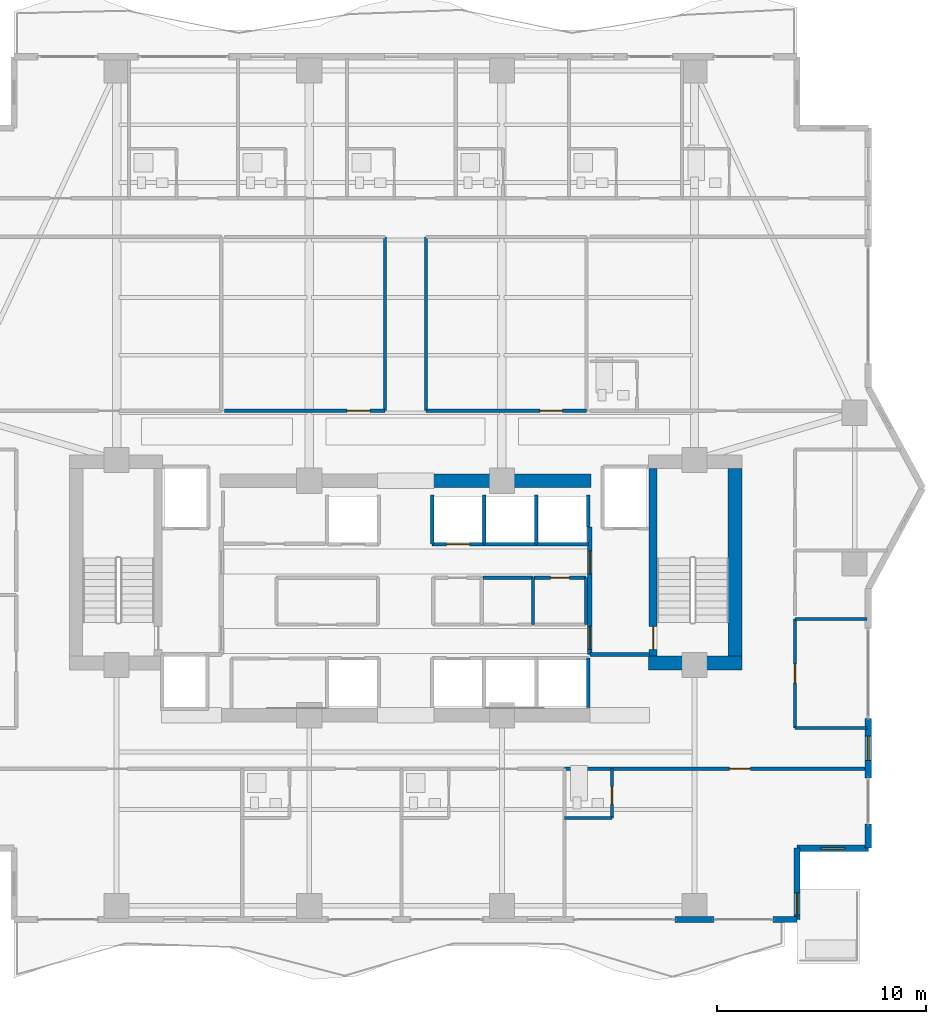
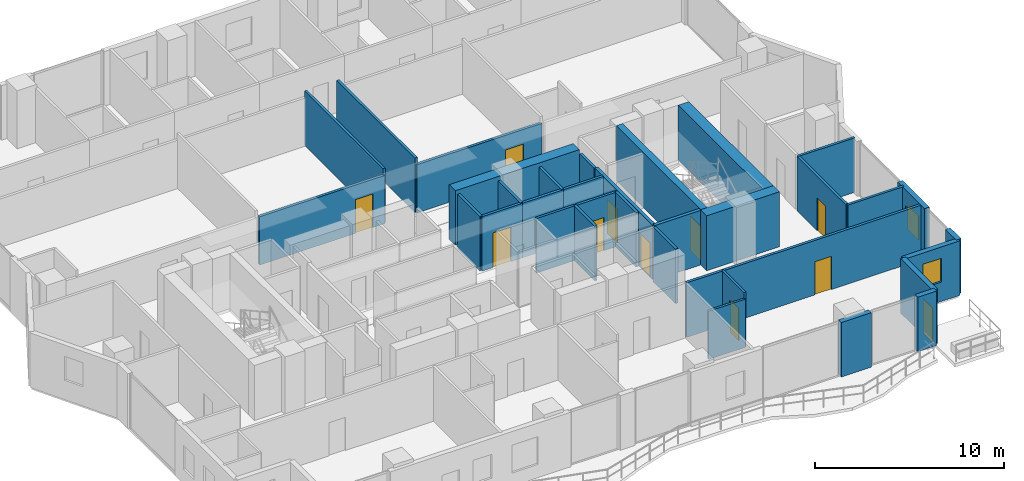
# One storey, part 26 of 33: 34 walls, 11 doors, 2 windows, 13 openings.
"""IFC4 building model written with IfcOpenShell, lengths in metres."""

from ifc_helpers import new_model, si_unit, direction, frame, frame_2d, origin, place, context, subcontext, project, spatial, rectangle, extrude, material, layer, layer_set, type_object, element, fill, save


model = new_model("IFC4")

# Units and contexts
model_context = context("Model", 3, precision=1e-05, world=origin(), true_north=direction((0.0, 1.0)))
body_context = subcontext(model_context, "Body", "Model", "MODEL_VIEW")
ifc_project = project(units=[si_unit("LENGTHUNIT", "METRE"), si_unit("AREAUNIT", "SQUARE_METRE"), si_unit("VOLUMEUNIT", "CUBIC_METRE"), si_unit("PLANEANGLEUNIT", "RADIAN"), si_unit("MASSUNIT", "GRAM", prefix="KILO")], contexts=[model_context])

# Site, building, storey
site_placement = place(None, origin())
site = spatial("IfcSite", under=ifc_project, at=site_placement, CompositionType="ELEMENT")
building_placement = place(site_placement, origin())
building = spatial("IfcBuilding", under=site, at=building_placement, Name="Zuhayl Quay Hotel", CompositionType="ELEMENT")
storey_placement = place(building_placement, frame((0.0, 0.0, 207.39990234375)))
storey = spatial("IfcBuildingStorey", under=building, at=storey_placement, Name="L52", CompositionType="ELEMENT", Elevation=207.39990234375)

# Walls
ifc_material_1 = material(Name="Concrete C50/60", Category="concrete")
ifc_layer_1 = layer(ifc_material_1, 0.64990234375, Name="Concrete C50/60", Category="concrete")
ifc_layer_set_1 = layer_set([ifc_layer_1], Name="Concrete C50/60")
wall_type_1 = type_object("IfcWallType", Name="WL_CORE_650", PredefinedType="SHEAR", material=ifc_layer_set_1)
wall_1_placement = place(storey_placement, frame((15.735107421875, 4.969970703125, 0.0), z_axis=(0.0, 0.0, 1.0), x_axis=(0.0, 1.0, 0.0)))
element("IfcWall", 1, at=wall_1_placement, inside=storey, type_object=wall_type_1, Name="L52 Core Shear Wall CW_E", PredefinedType="SHEAR", context=body_context, shape_type="SweptSolid", body=[
    extrude(rectangle(XDim=8.9599609375, YDim=0.64990234375, at=frame_2d((4.47998046875, 0.0))), origin(), (0.0, 0.0, 1.0), 3.56005859375),
])
wall_2_placement = place(storey_placement, frame((11.60009765625, 4.64501953125, 0.0), z_axis=(0.0, 0.0, 1.0), x_axis=(1.0, 0.0, 0.0)))
element("IfcWall", 2, at=wall_2_placement, inside=storey, type_object=wall_type_1, Name="L52 Core Shear Wall CW_SE", PredefinedType="SHEAR", context=body_context, shape_type="SweptSolid", body=[
    extrude(rectangle(XDim=4.4599609375, YDim=0.64990234375, at=frame_2d((2.22998046875, 0.0))), origin(), (0.0, 0.0, 1.0), 3.56005859375),
])
wall_3_placement = place(storey_placement, frame((1.25, 13.35009765625, 0.0), z_axis=(0.0, 0.0, 1.0), x_axis=(1.0, 0.0, 0.0)))
element("IfcWall", 3, at=wall_3_placement, inside=storey, type_object=wall_type_1, Name="L52 Core Shear Wall CW_NC_E", PredefinedType="SHEAR", context=body_context, shape_type="SweptSolid", body=[
    extrude(rectangle(XDim=7.60009765625, YDim=0.64990234375, at=frame_2d((3.800048828125, 0.0))), origin(), (0.0, 0.0, 1.0), 3.530029296875),
])

# Wall, opening, window
ifc_material_2 = material(Name="Precast concrete C45/55", Category="concrete")
ifc_layer_2 = layer(ifc_material_2, 0.300048828125, Name="Precast concrete C45/55", Category="concrete")
ifc_layer_set_2 = layer_set([ifc_layer_2], Name="Precast concrete C45/55")
wall_type_2 = type_object("IfcWallType", Name="WL_EXT_300", PredefinedType="STANDARD", material=ifc_layer_set_2)
wall_4_placement = place(storey_placement, frame((22.10009765625, 2.0, 0.0), z_axis=(0.0, 0.0, 1.0), x_axis=(0.0, -1.0, 0.0)))
wall_4 = element("IfcWall", 4, at=wall_4_placement, inside=storey, type_object=wall_type_2, Name="L52 Exterior Precast Wall ENV_L52_E14_EW2", PredefinedType="STANDARD", context=body_context, shape_type="SweptSolid", body=[
    extrude(rectangle(XDim=2.85009765625, YDim=0.300048828125, at=frame_2d((1.425048828125, 0.0))), origin(), (0.0, 0.0, 1.0), 3.530029296875),
])
opening_1_placement = place(wall_4_placement, frame((0.85009765625, 0.0, 0.949951171875)))
opening_1 = element("IfcOpeningElement", 5, at=opening_1_placement, cuts=wall_4, Name="Opening W01N", PredefinedType="OPENING", context=body_context, shape_type="SweptSolid", body=[
    extrude(rectangle(XDim=1.14990234375, YDim=1.550048828125, at=frame_2d((0.574951171875, 0.77490234375))), frame((0.0, 0.159912109375, 0.0), z_axis=(0.0, -1.0, 0.0), x_axis=(1.0, 0.0, 0.0)), (0.0, 0.0, 1.0), 0.320068359375),
])
ifc_material_3 = material(Name="Dark Ceramic-Fritted Solar Glass", Category="glass")
window_type = type_object("IfcWindowType", Name="WN_NOTCH_1350", PartitioningType="SINGLE_PANEL", PredefinedType="WINDOW", material=ifc_material_3)
window_1_placement = place(opening_1_placement, origin())
window_1 = element("IfcWindow", 6, at=window_1_placement, inside=storey, type_object=window_type, Name="L52 Operable Facade Window 2-1", OverallHeight=1.550048828125, OverallWidth=1.14990234375, PartitioningType="SINGLE_PANEL", PredefinedType="WINDOW", context=body_context, shape_type="SweptSolid", body=[
    extrude(rectangle(XDim=1.14990234375, YDim=1.550048828125, at=frame_2d((0.574951171875, 0.77490234375))), frame((0.0, 0.030029296875, 0.0), z_axis=(0.0, -1.0, 0.0), x_axis=(1.0, 0.0, 0.0)), (0.0, 0.0, 1.0), 0.06005859375),
])
fill(opening_1, window_1)

# Wall
wall_5_placement = place(storey_placement, frame((22.10009765625, -3.050048828125, 0.0), z_axis=(0.0, 0.0, 1.0), x_axis=(0.0, -1.0, 0.0)))
element("IfcWall", 7, at=wall_5_placement, inside=storey, type_object=wall_type_2, Name="L52 Exterior Precast Wall ENV_L52_E14_EW3", PredefinedType="STANDARD", context=body_context, shape_type="SweptSolid", body=[
    extrude(rectangle(XDim=1.14990234375, YDim=0.300048828125, at=frame_2d((0.574951171875, 0.0))), origin(), (0.0, 0.0, 1.0), 3.530029296875),
])

# Wall, opening, window
wall_6_placement = place(storey_placement, frame((22.10009765625, -4.199951171875, 0.0), z_axis=(0.0, 0.0, 1.0), x_axis=(-1.0, 0.0, 0.0)))
wall_6 = element("IfcWall", 8, at=wall_6_placement, inside=storey, type_object=wall_type_2, Name="L52 Exterior Precast Wall ENV_L52_EW15", PredefinedType="STANDARD", context=body_context, shape_type="SweptSolid", body=[
    extrude(rectangle(XDim=3.400146484375, YDim=0.300048828125, at=frame_2d((1.7001953125, 0.0))), origin(), (0.0, 0.0, 1.0), 3.530029296875),
])
opening_2_placement = place(wall_6_placement, frame((1.125, 0.0, 1.25)))
opening_2 = element("IfcOpeningElement", 9, at=opening_2_placement, cuts=wall_6, Name="Opening W01N", PredefinedType="OPENING", context=body_context, shape_type="SweptSolid", body=[
    extrude(rectangle(XDim=1.14990234375, YDim=1.550048828125, at=frame_2d((0.574951171875, 0.77490234375))), frame((0.0, 0.159912109375, 0.0), z_axis=(0.0, -1.0, 0.0), x_axis=(1.0, 0.0, 0.0)), (0.0, 0.0, 1.0), 0.320068359375),
])
window_2_placement = place(opening_2_placement, origin())
window_2 = element("IfcWindow", 10, at=window_2_placement, inside=storey, type_object=window_type, Name="L52 Corner Notch Window 15", OverallHeight=1.550048828125, OverallWidth=1.14990234375, PartitioningType="SINGLE_PANEL", PredefinedType="WINDOW", context=body_context, shape_type="SweptSolid", body=[
    extrude(rectangle(XDim=1.14990234375, YDim=1.550048828125, at=frame_2d((0.574951171875, 0.77490234375))), frame((0.0, 0.030029296875, 0.0), z_axis=(0.0, -1.0, 0.0), x_axis=(1.0, 0.0, 0.0)), (0.0, 0.0, 1.0), 0.06005859375),
])
fill(opening_2, window_2)

# Wall, opening, door
wall_7_placement = place(storey_placement, frame((18.699951171875, -4.199951171875, 0.0), z_axis=(0.0, 0.0, 1.0), x_axis=(0.0, -1.0, 0.0)))
wall_7 = element("IfcWall", 11, at=wall_7_placement, inside=storey, type_object=wall_type_2, Name="L52 Exterior Precast Wall ENV_L52_SP_SE", PredefinedType="STANDARD", context=body_context, shape_type="SweptSolid", body=[
    extrude(rectangle(XDim=3.400146484375, YDim=0.300048828125, at=frame_2d((1.7001953125, 0.0))), origin(), (0.0, 0.0, 1.0), 3.530029296875),
])
opening_3_placement = place(wall_7_placement, frame((2.1298828125, 0.0, 0.0)))
opening_3 = element("IfcOpeningElement", 12, at=opening_3_placement, cuts=wall_7, Name="Opening DG1", PredefinedType="OPENING", context=body_context, shape_type="SweptSolid", body=[
    extrude(rectangle(XDim=1.050048828125, YDim=2.199951171875, at=frame_2d((0.52490234375, 1.10009765625))), frame((0.0, 0.159912109375, 0.0), z_axis=(0.0, -1.0, 0.0), x_axis=(1.0, 0.0, 0.0)), (0.0, 0.0, 1.0), 0.320068359375),
])
ifc_material_4 = material(Name="Anodised Aluminium and Dark Solar Glass", Category="aluminium")
door_type_1 = type_object("IfcDoorType", Name="DR_EXT_TERR_1050", OperationType="NOTDEFINED", PredefinedType="DOOR", material=ifc_material_4)
door_1_placement = place(opening_3_placement, origin())
door_1 = element("IfcDoor", 13, at=door_1_placement, inside=storey, type_object=door_type_1, Name="L52 Spiral Sky-Terrace SE Access Door", OperationType="SINGLE_SWING_LEFT", OverallHeight=2.199951171875, OverallWidth=1.050048828125, PredefinedType="DOOR", context=body_context, shape_type="SweptSolid", body=[
    extrude(rectangle(XDim=1.050048828125, YDim=2.199951171875, at=frame_2d((0.52490234375, 1.10009765625))), frame((0.0, 0.02490234375, 0.0), z_axis=(0.0, -1.0, 0.0), x_axis=(1.0, 0.0, 0.0)), (0.0, 0.0, 1.0), 0.050048828125),
])
fill(opening_3, door_1)

# Walls
wall_8_placement = place(storey_placement, frame((18.699951171875, -7.60009765625, 0.0), z_axis=(0.0, 0.0, 1.0), x_axis=(-1.0, 0.0, 0.0)))
element("IfcWall", 14, at=wall_8_placement, inside=storey, type_object=wall_type_2, Name="L52 Exterior Precast Wall ENV_L52_S_EW1", PredefinedType="STANDARD", context=body_context, shape_type="SweptSolid", body=[
    extrude(rectangle(XDim=1.14990234375, YDim=0.300048828125, at=frame_2d((0.574951171875, 0.0))), origin(), (0.0, 0.0, 1.0), 3.530029296875),
])
wall_9_placement = place(storey_placement, frame((14.719970703125, -7.60009765625, 0.0), z_axis=(0.0, 0.0, 1.0), x_axis=(-1.0, 0.0, 0.0)))
element("IfcWall", 15, at=wall_9_placement, inside=storey, type_object=wall_type_2, Name="L52 Exterior Precast Wall ENV_L52_S_EW2", PredefinedType="STANDARD", context=body_context, shape_type="SweptSolid", body=[
    extrude(rectangle(XDim=1.840087890625, YDim=0.300048828125, at=frame_2d((0.919921875, 0.0))), origin(), (0.0, 0.0, 1.0), 3.530029296875),
])

# Wall, opening, door
ifc_material_5 = material(Name="Acoustic Gypsum Partition STC-58")
ifc_layer_3 = layer(ifc_material_5, 0.14990234375, Name="Acoustic Gypsum Partition STC-58")
ifc_layer_set_3 = layer_set([ifc_layer_3], Name="Acoustic Gypsum Partition STC-58")
wall_type_3 = type_object("IfcWallType", Name="WL_PART_150", PredefinedType="PARTITIONING", material=ifc_layer_set_3)
wall_10_placement = place(storey_placement, frame((6.139892578125, 8.719970703125, 0.0), z_axis=(0.0, 0.0, 1.0), x_axis=(1.0, 0.0, 0.0)))
wall_10 = element("IfcWall", 16, at=wall_10_placement, inside=storey, type_object=wall_type_3, Name="L52 Partition IW_L52_CORE_E3_N", PredefinedType="PARTITIONING", context=body_context, shape_type="SweptSolid", body=[
    extrude(rectangle(XDim=2.47021484375, YDim=0.14990234375, at=frame_2d((1.235107421875, 0.0))), origin(), (0.0, 0.0, 1.0), 3.530029296875),
])
opening_4_placement = place(wall_10_placement, frame((0.784912109375, 0.0, 0.0)))
opening_4 = element("IfcOpeningElement", 17, at=opening_4_placement, cuts=wall_10, Name="Opening D06", PredefinedType="OPENING", context=body_context, shape_type="SweptSolid", body=[
    extrude(rectangle(XDim=0.89990234375, YDim=2.14990234375, at=frame_2d((0.449951171875, 1.074951171875))), frame((0.0, 0.0849609375, 0.0), z_axis=(0.0, -1.0, 0.0), x_axis=(1.0, 0.0, 0.0)), (0.0, 0.0, 1.0), 0.169921875),
])
ifc_material_6 = material(Name="Steel ASTM A992 Grade 50", Category="steel")
door_type_2 = type_object("IfcDoorType", Name="DR_INT_900", OperationType="NOTDEFINED", PredefinedType="DOOR", material=ifc_material_6)
door_2_placement = place(opening_4_placement, origin())
door_2 = element("IfcDoor", 18, at=door_2_placement, inside=storey, type_object=door_type_2, Name="L52 Janitor and Cleaners Store Door", OperationType="SINGLE_SWING_LEFT", OverallHeight=2.14990234375, OverallWidth=0.89990234375, PredefinedType="DOOR", context=body_context, shape_type="SweptSolid", body=[
    extrude(rectangle(XDim=0.89990234375, YDim=2.14990234375, at=frame_2d((0.449951171875, 1.074951171875))), frame((0.0, 0.02490234375, 0.0), z_axis=(0.0, -1.0, 0.0), x_axis=(1.0, 0.0, 0.0)), (0.0, 0.0, 1.0), 0.050048828125),
])
fill(opening_4, door_2)

# Walls
wall_11_placement = place(storey_placement, frame((3.699951171875, 8.719970703125, 0.0), z_axis=(0.0, 0.0, 1.0), x_axis=(1.0, 0.0, 0.0)))
element("IfcWall", 19, at=wall_11_placement, inside=storey, type_object=wall_type_3, Name="L52 Partition IW_L52_CORE_E2_N", PredefinedType="PARTITIONING", context=body_context, shape_type="SweptSolid", body=[
    extrude(rectangle(XDim=2.380126953125, YDim=0.14990234375, at=frame_2d((1.18994140625, 0.0))), origin(), (0.0, 0.0, 1.0), 3.530029296875),
])
for number, where, z_axis, x_axis, name in (
    (20, (6.080078125, 6.47998046875, 0.0), (0.0, 0.0, 1.0), (0.0, 1.0, 0.0), "L52 Partition IW_L52_CORE_E2_E"),
    (21, (8.610107421875, 6.47998046875, 0.0), (0.0, 0.0, 1.0), (0.0, 1.0, 0.0), "L52 Partition IW_L52_CORE_E3_E"),
):
    element("IfcWall", number, at=place(storey_placement, frame(where, z_axis=z_axis, x_axis=x_axis)), inside=storey, type_object=wall_type_3, Name=name, PredefinedType="PARTITIONING", context=body_context, shape_type="SweptSolid", body=[
        extrude(rectangle(XDim=2.239990234375, YDim=0.14990234375, at=frame_2d((1.1201171875, 0.0))), origin(), (0.0, 0.0, 1.0), 3.530029296875),
    ])
for number, where, z_axis, x_axis, name in (
    (22, (-0.97998046875, 16.699951171875, 0.0), (0.0, 0.0, 1.0), (0.0, 1.0, 0.0), "L52 Partition IW_L52_Z3_MID_W_E"),
    (23, (0.97998046875, 16.699951171875, 0.0), (0.0, 0.0, 1.0), (0.0, 1.0, 0.0), "L52 Partition IW_L52_Z3_MID_E_W"),
):
    element("IfcWall", number, at=place(storey_placement, frame(where, z_axis=z_axis, x_axis=x_axis)), inside=storey, type_object=wall_type_3, Name=name, PredefinedType="PARTITIONING", context=body_context, shape_type="SweptSolid", body=[
        extrude(rectangle(XDim=8.300048828125, YDim=0.14990234375, at=frame_2d((4.14990234375, 0.0))), origin(), (0.0, 0.0, 1.0), 3.530029296875),
    ])
for number, where, z_axis, x_axis, name in (
    (24, (18.60009765625, 1.550048828125, 0.0), (0.0, 0.0, 1.0), (1.0, 0.0, 0.0), "L52 Partition IW_L52_HK_MAIN_S"),
    (25, (18.60009765625, 6.75, 0.0), (0.0, 0.0, 1.0), (1.0, 0.0, 0.0), "L52 Partition IW_L52_HK_MAIN_N"),
):
    element("IfcWall", number, at=place(storey_placement, frame(where, z_axis=z_axis, x_axis=x_axis)), inside=storey, type_object=wall_type_3, Name=name, PredefinedType="PARTITIONING", context=body_context, shape_type="SweptSolid", body=[
        extrude(rectangle(XDim=3.43994140625, YDim=0.14990234375, at=frame_2d((1.719970703125, 0.0))), origin(), (0.0, 0.0, 1.0), 3.530029296875),
    ])

# Wall, opening, door
ifc_layer_4 = layer(ifc_material_5, 0.159912109375, Name="Acoustic Gypsum Partition STC-58")
ifc_layer_set_4 = layer_set([ifc_layer_4], Name="Acoustic Gypsum Partition STC-58")
wall_type_4 = type_object("IfcWallType", Name="WL_PART_CORR_160", PredefinedType="PARTITIONING", material=ifc_layer_set_4)
wall_12_placement = place(storey_placement, frame((-8.639892578125, 16.699951171875, 0.0), z_axis=(0.0, 0.0, 1.0), x_axis=(1.0, 0.0, 0.0)))
wall_12 = element("IfcWall", 26, at=wall_12_placement, inside=storey, type_object=wall_type_4, Name="L52 Partition IW_L52_Z3_MID_W_S", PredefinedType="PARTITIONING", context=body_context, shape_type="SweptSolid", body=[
    extrude(rectangle(XDim=7.659912109375, YDim=0.159912109375, at=frame_2d((3.830078125, 0.0))), origin(), (0.0, 0.0, 1.0), 3.1240234375),
])
opening_5_placement = place(wall_12_placement, frame((5.85009765625, 0.0, 0.0)))
opening_5 = element("IfcOpeningElement", 27, at=opening_5_placement, cuts=wall_12, Name="Opening D05A", PredefinedType="OPENING", context=body_context, shape_type="SweptSolid", body=[
    extrude(rectangle(XDim=1.080078125, YDim=2.179931640625, at=frame_2d((0.5400390625, 1.08984375))), frame((0.0, 0.08984375, 0.0), z_axis=(0.0, -1.0, 0.0), x_axis=(1.0, 0.0, 0.0)), (0.0, 0.0, 1.0), 0.179931640625),
])
ifc_material_7 = material(Name="Solid Walnut Acoustic Fire Door")
door_type_3 = type_object("IfcDoorType", Name="DR_INT_1100", OperationType="NOTDEFINED", PredefinedType="DOOR", material=ifc_material_7)
door_3_placement = place(opening_5_placement, origin())
door_3 = element("IfcDoor", 28, at=door_3_placement, inside=storey, type_object=door_type_3, Name="L52 Botanical Tasting Room Door", OperationType="SINGLE_SWING_RIGHT", OverallHeight=2.179931640625, OverallWidth=1.080078125, PredefinedType="DOOR", context=body_context, shape_type="SweptSolid", body=[
    extrude(rectangle(XDim=1.080078125, YDim=2.179931640625, at=frame_2d((0.5400390625, 1.08984375))), frame((0.0, 0.02490234375, 0.0), z_axis=(0.0, -1.0, 0.0), x_axis=(1.0, 0.0, 0.0)), (0.0, 0.0, 1.0), 0.050048828125),
])
fill(opening_5, door_3)

wall_13_placement = place(storey_placement, frame((0.97998046875, 16.699951171875, 0.0), z_axis=(0.0, 0.0, 1.0), x_axis=(1.0, 0.0, 0.0)))
wall_13 = element("IfcWall", 29, at=wall_13_placement, inside=storey, type_object=wall_type_4, Name="L52 Partition IW_L52_Z3_MID_E_S", PredefinedType="PARTITIONING", context=body_context, shape_type="SweptSolid", body=[
    extrude(rectangle(XDim=7.659912109375, YDim=0.159912109375, at=frame_2d((3.830078125, 0.0))), origin(), (0.0, 0.0, 1.0), 3.1240234375),
])
opening_6_placement = place(wall_13_placement, frame((5.429931640625, 0.0, 0.0)))
opening_6 = element("IfcOpeningElement", 30, at=opening_6_placement, cuts=wall_13, Name="Opening D05A", PredefinedType="OPENING", context=body_context, shape_type="SweptSolid", body=[
    extrude(rectangle(XDim=1.080078125, YDim=2.179931640625, at=frame_2d((0.5400390625, 1.08984375))), frame((0.0, 0.08984375, 0.0), z_axis=(0.0, -1.0, 0.0), x_axis=(1.0, 0.0, 0.0)), (0.0, 0.0, 1.0), 0.179931640625),
])
door_4_placement = place(opening_6_placement, origin())
door_4 = element("IfcDoor", 31, at=door_4_placement, inside=storey, type_object=door_type_3, Name="L52 Horizon Screening Salon Door", OperationType="SINGLE_SWING_LEFT", OverallHeight=2.179931640625, OverallWidth=1.080078125, PredefinedType="DOOR", context=body_context, shape_type="SweptSolid", body=[
    extrude(rectangle(XDim=1.080078125, YDim=2.179931640625, at=frame_2d((0.5400390625, 1.08984375))), frame((0.0, 0.02490234375, 0.0), z_axis=(0.0, -1.0, 0.0), x_axis=(1.0, 0.0, 0.0)), (0.0, 0.0, 1.0), 0.050048828125),
])
fill(opening_6, door_4)

wall_14_placement = place(storey_placement, frame((7.60009765625, -0.39990234375, 0.0), z_axis=(0.0, 0.0, 1.0), x_axis=(1.0, 0.0, 0.0)))
wall_14 = element("IfcWall", 32, at=wall_14_placement, inside=storey, type_object=wall_type_4, Name="L52 Partition IW_L52_SU04_COR", PredefinedType="PARTITIONING", context=body_context, shape_type="SweptSolid", body=[
    extrude(rectangle(XDim=14.43994140625, YDim=0.159912109375, at=frame_2d((7.219970703125, 0.0))), origin(), (0.0, 0.0, 1.0), 3.530029296875),
])
opening_7_placement = place(wall_14_placement, frame((7.8701171875, 0.0, 0.0)))
opening_7 = element("IfcOpeningElement", 33, at=opening_7_placement, cuts=wall_14, Name="Opening D03L", PredefinedType="OPENING", context=body_context, shape_type="SweptSolid", body=[
    extrude(rectangle(XDim=1.0, YDim=2.14990234375, at=frame_2d((0.5, 1.074951171875))), frame((0.0, 0.08984375, 0.0), z_axis=(0.0, -1.0, 0.0), x_axis=(1.0, 0.0, 0.0)), (0.0, 0.0, 1.0), 0.179931640625),
])
door_type_4 = type_object("IfcDoorType", Name="DR_SUITE_1000", OperationType="NOTDEFINED", PredefinedType="DOOR", material=ifc_material_7)
door_5_placement = place(opening_7_placement, origin())
door_5 = element("IfcDoor", 34, at=door_5_placement, inside=storey, type_object=door_type_4, Name="L52 City-View Junior Suite L52-04 Entrance Door", OperationType="SINGLE_SWING_LEFT", OverallHeight=2.14990234375, OverallWidth=1.0, PredefinedType="DOOR", context=body_context, shape_type="SweptSolid", body=[
    extrude(rectangle(XDim=1.0, YDim=2.14990234375, at=frame_2d((0.5, 1.074951171875))), frame((0.0, 0.02490234375, 0.0), z_axis=(0.0, -1.0, 0.0), x_axis=(1.0, 0.0, 0.0)), (0.0, 0.0, 1.0), 0.050048828125),
])
fill(opening_7, door_5)

wall_15_placement = place(storey_placement, frame((18.60009765625, 1.550048828125, 0.0), z_axis=(0.0, 0.0, 1.0), x_axis=(0.0, 1.0, 0.0)))
wall_15 = element("IfcWall", 35, at=wall_15_placement, inside=storey, type_object=wall_type_4, Name="L52 Partition IW_L52_HK_MAIN_W", PredefinedType="PARTITIONING", context=body_context, shape_type="SweptSolid", body=[
    extrude(rectangle(XDim=5.199951171875, YDim=0.159912109375, at=frame_2d((2.60009765625, 0.0))), origin(), (0.0, 0.0, 1.0), 3.530029296875),
])
opening_8_placement = place(wall_15_placement, frame((2.139892578125, 0.0, 0.0)))
opening_8 = element("IfcOpeningElement", 36, at=opening_8_placement, cuts=wall_15, Name="Opening D05", PredefinedType="OPENING", context=body_context, shape_type="SweptSolid", body=[
    extrude(rectangle(XDim=0.919921875, YDim=2.1201171875, at=frame_2d((0.4599609375, 1.06005859375))), frame((0.0, 0.08984375, 0.0), z_axis=(0.0, -1.0, 0.0), x_axis=(1.0, 0.0, 0.0)), (0.0, 0.0, 1.0), 0.179931640625),
])
door_type_5 = type_object("IfcDoorType", Name="DR_INT_950", OperationType="NOTDEFINED", PredefinedType="DOOR", material=ifc_material_7)
door_6_placement = place(opening_8_placement, origin())
door_6 = element("IfcDoor", 37, at=door_6_placement, inside=storey, type_object=door_type_5, Name="L52 Housekeeping and Linen Room Door", OperationType="SINGLE_SWING_RIGHT", OverallHeight=2.1201171875, OverallWidth=0.919921875, PredefinedType="DOOR", context=body_context, shape_type="SweptSolid", body=[
    extrude(rectangle(XDim=0.919921875, YDim=2.1201171875, at=frame_2d((0.4599609375, 1.06005859375))), frame((0.0, 0.02490234375, 0.0), z_axis=(0.0, -1.0, 0.0), x_axis=(1.0, 0.0, 0.0)), (0.0, 0.0, 1.0), 0.050048828125),
])
fill(opening_8, door_6)

ifc_material_8 = material(Name="Moisture-Resistant Sanitarychase Gypsum")
ifc_layer_5 = layer(ifc_material_8, 0.135009765625, Name="Moisture-Resistant Sanitarychase Gypsum")
ifc_layer_set_5 = layer_set([ifc_layer_5], Name="Moisture-Resistant Sanitarychase Gypsum")
wall_type_5 = type_object("IfcWallType", Name="WL_PART_PLUMB_150", PredefinedType="PLUMBINGWALL", material=ifc_layer_set_5)
wall_16_placement = place(storey_placement, frame((9.860107421875, -2.760009765625, 0.0), z_axis=(0.0, 0.0, 1.0), x_axis=(0.0, 1.0, 0.0)))
wall_16 = element("IfcWall", 38, at=wall_16_placement, inside=storey, type_object=wall_type_5, Name="L52 Partition IW_L52_SU04_BE", PredefinedType="PLUMBINGWALL", context=body_context, shape_type="SweptSolid", body=[
    extrude(rectangle(XDim=2.360107421875, YDim=0.135009765625, at=frame_2d((1.18017578125, 0.0))), origin(), (0.0, 0.0, 1.0), 3.530029296875),
])
opening_9_placement = place(wall_16_placement, frame((0.64990234375, 0.0, 0.0)))
opening_9 = element("IfcOpeningElement", 39, at=opening_9_placement, cuts=wall_16, Name="Opening D04", PredefinedType="OPENING", context=body_context, shape_type="SweptSolid", body=[
    extrude(rectangle(XDim=0.85009765625, YDim=2.10009765625, at=frame_2d((0.425048828125, 1.050048828125))), frame((0.0, 0.077392578125, 0.0), z_axis=(0.0, -1.0, 0.0), x_axis=(1.0, 0.0, 0.0)), (0.0, 0.0, 1.0), 0.155029296875),
])
ifc_material_9 = material(Name="Moisture-Resistant Walnut Veneer")
door_type_6 = type_object("IfcDoorType", Name="DR_BATH_850", OperationType="NOTDEFINED", PredefinedType="DOOR", material=ifc_material_9)
door_7_placement = place(opening_9_placement, origin())
door_7 = element("IfcDoor", 40, at=door_7_placement, inside=storey, type_object=door_type_6, Name="L52 City-View Junior Suite L52-04 En-Suite Door", OperationType="SINGLE_SWING_RIGHT", OverallHeight=2.10009765625, OverallWidth=0.85009765625, PredefinedType="DOOR", context=body_context, shape_type="SweptSolid", body=[
    extrude(rectangle(XDim=0.85009765625, YDim=2.10009765625, at=frame_2d((0.425048828125, 1.050048828125))), frame((0.0, 0.02490234375, 0.0), z_axis=(0.0, -1.0, 0.0), x_axis=(1.0, 0.0, 0.0)), (0.0, 0.0, 1.0), 0.050048828125),
])
fill(opening_9, door_7)

# Wall
wall_17_placement = place(storey_placement, frame((7.60009765625, -2.760009765625, 0.0), z_axis=(0.0, 0.0, 1.0), x_axis=(1.0, 0.0, 0.0)))
element("IfcWall", 41, at=wall_17_placement, inside=storey, type_object=wall_type_5, Name="L52 Partition IW_L52_SU04_BS", PredefinedType="PLUMBINGWALL", context=body_context, shape_type="SweptSolid", body=[
    extrude(rectangle(XDim=2.260009765625, YDim=0.135009765625, at=frame_2d((1.1298828125, 0.0))), origin(), (0.0, 0.0, 1.0), 3.1240234375),
])

# Wall, opening, door
ifc_material_10 = material(Name="Gypsum Fireboard Assembly EI-90")
ifc_layer_6 = layer(ifc_material_10, 0.1650390625, Name="Gypsum Fireboard Assembly EI-90")
ifc_layer_set_6 = layer_set([ifc_layer_6], Name="Gypsum Fireboard Assembly EI-90")
wall_type_6 = type_object("IfcWallType", Name="WL_PART_SHAFT_160", PredefinedType="PARTITIONING", material=ifc_layer_set_6)
wall_18_placement = place(storey_placement, frame((1.27001953125, 10.320068359375, 0.0), z_axis=(0.0, 0.0, 1.0), x_axis=(1.0, 0.0, 0.0)))
wall_18 = element("IfcWall", 42, at=wall_18_placement, inside=storey, type_object=wall_type_6, Name="L52 Partition IW_L52_SH_MP4_F", PredefinedType="PARTITIONING", context=body_context, shape_type="SweptSolid", body=[
    extrude(rectangle(XDim=2.47998046875, YDim=0.1650390625, at=frame_2d((1.239990234375, 0.0))), origin(), (0.0, 0.0, 1.0), 3.530029296875),
])
opening_10_placement = place(wall_18_placement, frame((0.68994140625, 0.0, 0.0)))
opening_10 = element("IfcOpeningElement", 43, at=opening_10_placement, cuts=wall_18, Name="Opening LD1", PredefinedType="OPENING", context=body_context, shape_type="SweptSolid", body=[
    extrude(rectangle(XDim=1.10009765625, YDim=2.25, at=frame_2d((0.550048828125, 1.125))), frame((0.0, 0.092529296875, 0.0), z_axis=(0.0, -1.0, 0.0), x_axis=(1.0, 0.0, 0.0)), (0.0, 0.0, 1.0), 0.18505859375),
])
ifc_material_11 = material(Name="Brushed Stainless Steel", Category="steel")
door_type_7 = type_object("IfcDoorType", Name="DR_LIFT_PASS_1100", OperationType="SLIDING_TO_LEFT", PredefinedType="DOOR", material=ifc_material_11)
door_8_placement = place(opening_10_placement, origin())
door_8 = element("IfcDoor", 44, at=door_8_placement, inside=storey, type_object=door_type_7, Name="L52 Lift MP4 Sliding Landing Door", OperationType="SLIDING_TO_LEFT", OverallHeight=2.25, OverallWidth=1.10009765625, PredefinedType="DOOR", context=body_context, shape_type="SweptSolid", body=[
    extrude(rectangle(XDim=1.10009765625, YDim=2.25, at=frame_2d((0.550048828125, 1.125))), frame((0.0, 0.02490234375, 0.0), z_axis=(0.0, -1.0, 0.0), x_axis=(1.0, 0.0, 0.0)), (0.0, 0.0, 1.0), 0.050048828125),
])
fill(opening_10, door_8)

# Walls
for number, where, z_axis, x_axis, name in (
    (45, (1.27001953125, 10.320068359375, 0.0), (0.0, 0.0, 1.0), (0.0, 1.0, 0.0), "L52 Partition IW_L52_SH_MP4_W"),
    (46, (3.75, 10.320068359375, 0.0), (0.0, 0.0, 1.0), (0.0, 1.0, 0.0), "L52 Partition IW_L52_SH_MP4_E"),
    (47, (8.72998046875, 2.52001953125, 0.0), (0.0, 0.0, 1.0), (0.0, 1.0, 0.0), "L52 Partition IW_L52_SH_HP2_E"),
):
    element("IfcWall", number, at=place(storey_placement, frame(where, z_axis=z_axis, x_axis=x_axis)), inside=storey, type_object=wall_type_6, Name=name, PredefinedType="PARTITIONING", context=body_context, shape_type="SweptSolid", body=[
        extrude(rectangle(XDim=2.35986328125, YDim=0.1650390625, at=frame_2d((1.179931640625, 0.0))), origin(), (0.0, 0.0, 1.0), 3.530029296875),
    ])
wall_19_placement = place(storey_placement, frame((3.75, 10.320068359375, 0.0), z_axis=(0.0, 0.0, 1.0), x_axis=(1.0, 0.0, 0.0)))
element("IfcWall", 48, at=wall_19_placement, inside=storey, type_object=wall_type_6, Name="L52 Partition IW_L52_SH_HP3_F", PredefinedType="PARTITIONING", context=body_context, shape_type="SweptSolid", body=[
    extrude(rectangle(XDim=2.5, YDim=0.1650390625, at=frame_2d((1.25, 0.0))), origin(), (0.0, 0.0, 1.0), 3.530029296875),
])
wall_20_placement = place(storey_placement, frame((6.25, 10.320068359375, 0.0), z_axis=(0.0, 0.0, 1.0), x_axis=(0.0, 1.0, 0.0)))
element("IfcWall", 49, at=wall_20_placement, inside=storey, type_object=wall_type_6, Name="L52 Partition IW_L52_SH_HP3_E", PredefinedType="PARTITIONING", context=body_context, shape_type="SweptSolid", body=[
    extrude(rectangle(XDim=2.35986328125, YDim=0.1650390625, at=frame_2d((1.179931640625, 0.0))), origin(), (0.0, 0.0, 1.0), 3.530029296875),
])
wall_21_placement = place(storey_placement, frame((6.25, 10.320068359375, 0.0), z_axis=(0.0, 0.0, 1.0), x_axis=(1.0, 0.0, 0.0)))
element("IfcWall", 50, at=wall_21_placement, inside=storey, type_object=wall_type_6, Name="L52 Partition IW_L52_SH_HP4_F", PredefinedType="PARTITIONING", context=body_context, shape_type="SweptSolid", body=[
    extrude(rectangle(XDim=2.47998046875, YDim=0.1650390625, at=frame_2d((1.239990234375, 0.0))), origin(), (0.0, 0.0, 1.0), 3.530029296875),
])
wall_22_placement = place(storey_placement, frame((8.72998046875, 11.14990234375, 0.0), z_axis=(0.0, 0.0, 1.0), x_axis=(0.0, 1.0, 0.0)))
element("IfcWall", 51, at=wall_22_placement, inside=storey, type_object=wall_type_6, Name="L52 Partition IW_L52_SH_HP4_E", PredefinedType="PARTITIONING", context=body_context, shape_type="SweptSolid", body=[
    extrude(rectangle(XDim=1.530029296875, YDim=0.1650390625, at=frame_2d((0.76513671875, 0.0))), origin(), (0.0, 0.0, 1.0), 3.530029296875),
])

# Wall, openings, doors
ifc_material_12 = material(Name="Gypsum Fireboard Assembly EI-120")
ifc_layer_7 = layer(ifc_material_12, 0.199951171875, Name="Gypsum Fireboard Assembly EI-120")
ifc_layer_set_7 = layer_set([ifc_layer_7], Name="Gypsum Fireboard Assembly EI-120")
wall_type_7 = type_object("IfcWallType", Name="WL_PART_SHAFT_200", PredefinedType="PARTITIONING", material=ifc_layer_set_7)
wall_23_placement = place(storey_placement, frame((8.800048828125, 11.14990234375, 0.0), z_axis=(0.0, 0.0, 1.0), x_axis=(0.0, -1.0, 0.0)))
wall_23 = element("IfcWall", 52, at=wall_23_placement, inside=storey, type_object=wall_type_7, Name="L52 Partition IW_L52_FSAE_E_W", PredefinedType="PARTITIONING", context=body_context, shape_type="SweptSolid", body=[
    extrude(rectangle(XDim=6.099853515625, YDim=0.199951171875, at=frame_2d((3.0498046875, 0.0))), origin(), (0.0, 0.0, 1.0), 3.530029296875),
])
opening_11_placement = place(wall_23_placement, frame((1.14990234375, 0.0, 0.0)))
opening_11 = element("IfcOpeningElement", 53, at=opening_11_placement, cuts=wall_23, Name="Opening D02", PredefinedType="OPENING", context=body_context, shape_type="SweptSolid", body=[
    extrude(rectangle(XDim=1.10009765625, YDim=2.199951171875, at=frame_2d((0.550048828125, 1.10009765625))), frame((0.0, 0.10986328125, 0.0), z_axis=(0.0, -1.0, 0.0), x_axis=(1.0, 0.0, 0.0)), (0.0, 0.0, 1.0), 0.219970703125),
])
opening_12_placement = place(wall_23_placement, frame((4.75, 0.0, 0.0)))
opening_12 = element("IfcOpeningElement", 54, at=opening_12_placement, cuts=wall_23, Name="Opening D02", PredefinedType="OPENING", context=body_context, shape_type="SweptSolid", body=[
    extrude(rectangle(XDim=1.10009765625, YDim=2.199951171875, at=frame_2d((0.550048828125, 1.10009765625))), frame((0.0, 0.10986328125, 0.0), z_axis=(0.0, -1.0, 0.0), x_axis=(1.0, 0.0, 0.0)), (0.0, 0.0, 1.0), 0.219970703125),
])
door_type_8 = type_object("IfcDoorType", Name="DR_FIRE_90_1100", OperationType="NOTDEFINED", PredefinedType="DOOR", material=ifc_material_6)
door_9_placement = place(opening_11_placement, origin())
door_9 = element("IfcDoor", 55, at=door_9_placement, inside=storey, type_object=door_type_8, Name="L52 FSAE Lobby East North Entry Door", OperationType="SINGLE_SWING_RIGHT", OverallHeight=2.199951171875, OverallWidth=1.10009765625, PredefinedType="DOOR", context=body_context, shape_type="SweptSolid", body=[
    extrude(rectangle(XDim=1.10009765625, YDim=2.199951171875, at=frame_2d((0.550048828125, 1.10009765625))), frame((0.0, 0.02490234375, 0.0), z_axis=(0.0, -1.0, 0.0), x_axis=(1.0, 0.0, 0.0)), (0.0, 0.0, 1.0), 0.050048828125),
])
fill(opening_11, door_9)
door_10_placement = place(opening_12_placement, origin())
door_10 = element("IfcDoor", 56, at=door_10_placement, inside=storey, type_object=door_type_8, Name="L52 FSAE Lobby East South Entry Door", OperationType="SINGLE_SWING_LEFT", OverallHeight=2.199951171875, OverallWidth=1.10009765625, PredefinedType="DOOR", context=body_context, shape_type="SweptSolid", body=[
    extrude(rectangle(XDim=1.10009765625, YDim=2.199951171875, at=frame_2d((0.550048828125, 1.10009765625))), frame((0.0, 0.02490234375, 0.0), z_axis=(0.0, -1.0, 0.0), x_axis=(1.0, 0.0, 0.0)), (0.0, 0.0, 1.0), 0.050048828125),
])
fill(opening_12, door_10)

# Wall
wall_24_placement = place(storey_placement, frame((8.800048828125, 5.050048828125, 0.0), z_axis=(0.0, 0.0, 1.0), x_axis=(1.0, 0.0, 0.0)))
element("IfcWall", 57, at=wall_24_placement, inside=storey, type_object=wall_type_7, Name="L52 Partition IW_L52_FSAE_E_S", PredefinedType="PARTITIONING", context=body_context, shape_type="SweptSolid", body=[
    extrude(rectangle(XDim=2.849853515625, YDim=0.199951171875, at=frame_2d((1.4248046875, 0.0))), origin(), (0.0, 0.0, 1.0), 3.530029296875),
])

# Wall, opening, door
ifc_material_13 = material(Name="Concrete C60/75", Category="concrete")
ifc_layer_8 = layer(ifc_material_13, 0.39990234375, Name="Concrete C60/75", Category="concrete")
ifc_layer_set_8 = layer_set([ifc_layer_8], Name="Concrete C60/75")
wall_type_8 = type_object("IfcWallType", Name="WL_STAIR_400", PredefinedType="SHEAR", material=ifc_layer_set_8)
wall_25_placement = place(storey_placement, frame((11.820068359375, 13.929931640625, 0.0), z_axis=(0.0, 0.0, 1.0), x_axis=(0.0, -1.0, 0.0)))
wall_25 = element("IfcWall", 58, at=wall_25_placement, inside=storey, type_object=wall_type_8, Name="L52 Core Shear Wall SW_ST2", PredefinedType="SHEAR", context=body_context, shape_type="SweptSolid", body=[
    extrude(rectangle(XDim=8.9599609375, YDim=0.39990234375, at=frame_2d((4.47998046875, 0.0))), origin(), (0.0, 0.0, 1.0), 3.56005859375),
])
opening_13_placement = place(wall_25_placement, frame((7.530029296875, 0.0, 0.0)))
opening_13 = element("IfcOpeningElement", 59, at=opening_13_placement, cuts=wall_25, Name="Opening D01", PredefinedType="OPENING", context=body_context, shape_type="SweptSolid", body=[
    extrude(rectangle(XDim=1.1201171875, YDim=2.219970703125, at=frame_2d((0.56005859375, 1.10986328125))), frame((0.0, 0.2099609375, 0.0), z_axis=(0.0, -1.0, 0.0), x_axis=(1.0, 0.0, 0.0)), (0.0, 0.0, 1.0), 0.419921875),
])
door_type_9 = type_object("IfcDoorType", Name="DR_STAIR_90_1100", OperationType="NOTDEFINED", PredefinedType="DOOR", material=ifc_material_6)
door_11_placement = place(opening_13_placement, origin())
door_11 = element("IfcDoor", 60, at=door_11_placement, inside=storey, type_object=door_type_9, Name="L52 Smokeproof Exit Stair ST2 Door", OperationType="SINGLE_SWING_RIGHT", OverallHeight=2.219970703125, OverallWidth=1.1201171875, PredefinedType="DOOR", context=body_context, shape_type="SweptSolid", body=[
    extrude(rectangle(XDim=1.1201171875, YDim=2.219970703125, at=frame_2d((0.56005859375, 1.10986328125))), frame((0.0, 0.02490234375, 0.0), z_axis=(0.0, -1.0, 0.0), x_axis=(1.0, 0.0, 0.0)), (0.0, 0.0, 1.0), 0.050048828125),
])
fill(opening_13, door_11)

save(model, "model.ifc")
